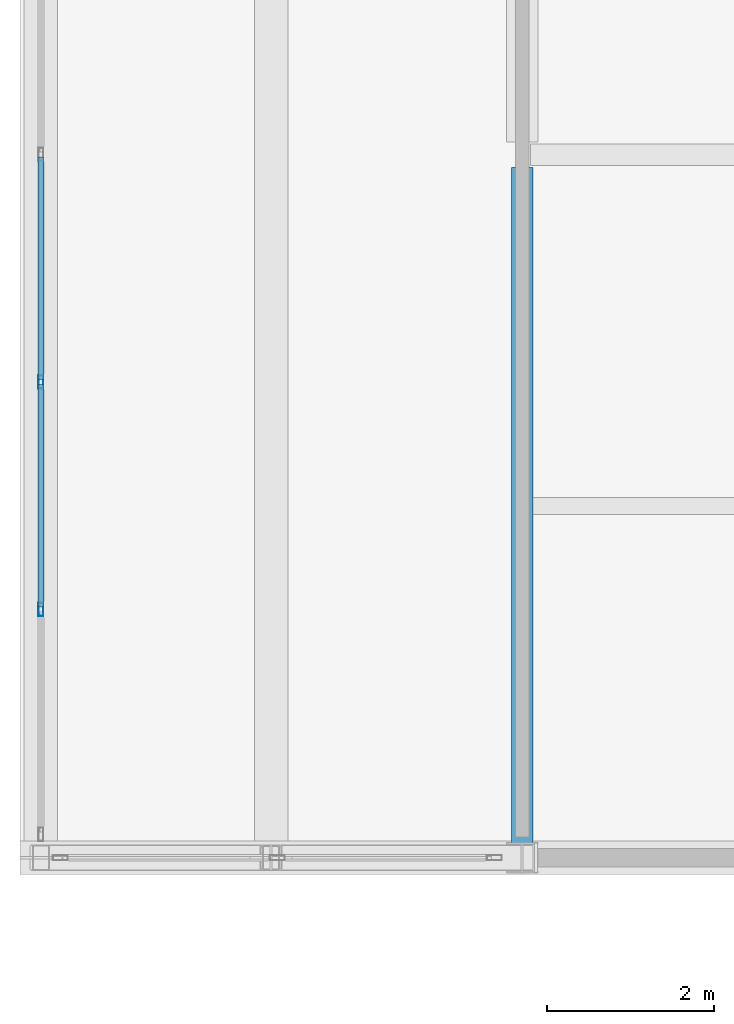
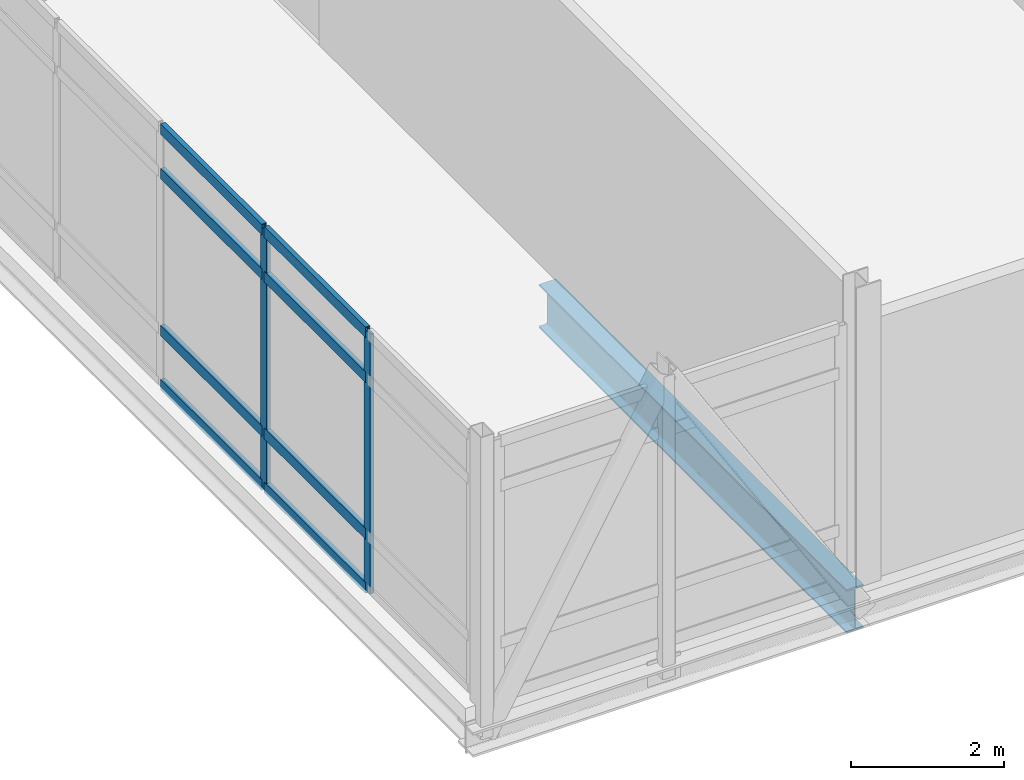
# One storey, part 10 of 45: 10 members, 1 beam, 1 element without a shape of its own.
"""IFC4 building model written with IfcOpenShell, lengths in metres."""

from ifc_helpers import new_model, si_unit, direction, frame, origin, origin_2d, place, context, subcontext, project, spatial, hollow_rectangle, i_section, extrude, material, layer, layer_set, material_profile, profile_set, type_object, element, aggregate, save


model = new_model("IFC4")

# Units and contexts
model_context = context("Model", 3, precision=1e-05, world=origin(), true_north=direction((0.0, 1.0)))
body_context = subcontext(model_context, "Body", "Model", "MODEL_VIEW")
ifc_project = project(units=[si_unit("LENGTHUNIT", "METRE"), si_unit("AREAUNIT", "SQUARE_METRE"), si_unit("VOLUMEUNIT", "CUBIC_METRE"), si_unit("PLANEANGLEUNIT", "RADIAN"), si_unit("MASSUNIT", "GRAM", prefix="KILO")], contexts=[model_context])

# Site, building, storey
site_placement = place(None, origin())
site = spatial("IfcSite", under=ifc_project, at=site_placement, CompositionType="ELEMENT")
building_placement = place(site_placement, origin())
building = spatial("IfcBuilding", under=site, at=building_placement, Name="Calvrana Isthmian Art Gallery", CompositionType="ELEMENT")
storey_placement = place(building_placement, frame((0.0, 0.0, 19.800048828125)))
storey = spatial("IfcBuildingStorey", under=building, at=storey_placement, Name="L04", CompositionType="ELEMENT", Elevation=19.800048828125)

# Beam
ifc_material_1 = material(Name="Steel ASTM A992 Gr 50", Category="steel")
ifc_material_profile_1 = material_profile(ifc_material_1, i_section(OverallWidth=0.257080078125, OverallDepth=0.693115234375, WebThickness=0.014404296875, FlangeThickness=0.023681640625, FilletRadius=0.02392578125, at=origin_2d()), Name="W27X114")
ifc_profile_set_1 = profile_set([ifc_material_profile_1], Name="Steel ASTM A992 Gr 50")
beam_type = type_object("IfcBeamType", Name="BM-G-W27X114", PredefinedType="BEAM", material=ifc_profile_set_1)
beam_placement = place(storey_placement, frame((21.60009765625, 21.778076171875, -0.611572265625), z_axis=(0.0, 1.0, 0.0), x_axis=(-1.0, 0.0, 0.0)))
element("IfcBeam", 1, at=beam_placement, inside=storey, type_object=beam_type, Name="Girder Y L04 04/D-E", PredefinedType="BEAM", context=body_context, shape_type="SweptSolid", body=[
    extrude(i_section(OverallWidth=0.257080078125, OverallDepth=0.693115234375, WebThickness=0.014404296875, FlangeThickness=0.023681640625, FilletRadius=0.02392578125, at=origin_2d()), origin(), (0.0, 0.0, 1.0), 8.069580078125),
])

# Curtain wall, members
ifc_material_2 = material(Name="Anodized bronze aluminium 6063-T6", Category="aluminium")
ifc_layer = layer(ifc_material_2, 0.179931640625, Name="Anodized bronze aluminium 6063-T6")
ifc_layer_set = layer_set([ifc_layer], Name="Anodized bronze aluminium 6063-T6")
curtain_wall_type = type_object("IfcCurtainWallType", Name="CW-STICK-163X42", PredefinedType="NOTDEFINED", material=ifc_layer_set)
curtain_wall_placement = place(storey_placement, origin())
curtain_wall = element("IfcCurtainWall", 2, at=curtain_wall_placement, inside=storey, type_object=curtain_wall_type, Name="Curtain wall CW-193", PredefinedType="NOTDEFINED")
ifc_material_profile_2 = material_profile(ifc_material_2, hollow_rectangle(XDim=0.06005859375, YDim=0.159912109375, WallThickness=0.00390625, at=origin_2d()), Name="CWM60X160")
ifc_profile_set_2 = profile_set([ifc_material_profile_2], Name="Anodized bronze aluminium 6063-T6")
member_type_1 = type_object("IfcMemberType", Name="CWM-CWM60X160", PredefinedType="MULLION", material=ifc_profile_set_2)
member_1_placement = place(storey_placement, frame((15.85009765625, 24.566650390625, 0.0), z_axis=(0.0, 0.0, 1.0), x_axis=(-1.0, 0.0, 0.0)))
member_1 = element("IfcMember", 3, at=member_1_placement, type_object=member_type_1, Name="CW-193 mullion 2", PredefinedType="MULLION", context=body_context, shape_type="SweptSolid", body=[
    extrude(hollow_rectangle(XDim=0.06005859375, YDim=0.159912109375, WallThickness=0.00390625, at=origin_2d()), origin(), (0.0, 0.0, 1.0), 4.160888671875),
])
member_2_placement = place(storey_placement, frame((15.85009765625, 27.283447265625, 0.0), z_axis=(0.0, 0.0, 1.0), x_axis=(-1.0, 0.0, 0.0)))
member_2 = element("IfcMember", 4, at=member_2_placement, type_object=member_type_1, Name="CW-193 mullion 3", PredefinedType="MULLION", context=body_context, shape_type="SweptSolid", body=[
    extrude(hollow_rectangle(XDim=0.06005859375, YDim=0.159912109375, WallThickness=0.00390625, at=origin_2d()), origin(), (0.0, 0.0, 1.0), 4.160888671875),
])
ifc_material_profile_3 = material_profile(ifc_material_2, hollow_rectangle(XDim=0.070068359375, YDim=0.169921875, WallThickness=0.00439453125, at=origin_2d()), Name="CWT70X170")
ifc_profile_set_3 = profile_set([ifc_material_profile_3], Name="Anodized bronze aluminium 6063-T6")
member_type_2 = type_object("IfcMemberType", Name="CWT-CWT70X170", PredefinedType="USERDEFINED", material=ifc_profile_set_3)
member_3_placement = place(storey_placement, frame((15.85009765625, 24.5966796875, 0.034912109375), z_axis=(0.0, 1.0, 0.0), x_axis=(-1.0, 0.0, 0.0)))
member_3 = element("IfcMember", 5, at=member_3_placement, type_object=member_type_2, Name="CW-193 transom 2.1", ObjectType="TRANSOM", PredefinedType="USERDEFINED", context=body_context, shape_type="SweptSolid", body=[
    extrude(hollow_rectangle(XDim=0.070068359375, YDim=0.169921875, WallThickness=0.00439453125, at=origin_2d()), origin(), (0.0, 0.0, 1.0), 2.65673828125),
])
member_4_placement = place(storey_placement, frame((15.85009765625, 24.5966796875, 0.89990234375), z_axis=(0.0, 1.0, 0.0), x_axis=(-1.0, 0.0, 0.0)))
member_4 = element("IfcMember", 6, at=member_4_placement, type_object=member_type_2, Name="CW-193 transom 2.2", ObjectType="TRANSOM", PredefinedType="USERDEFINED", context=body_context, shape_type="SweptSolid", body=[
    extrude(hollow_rectangle(XDim=0.070068359375, YDim=0.169921875, WallThickness=0.00439453125, at=origin_2d()), origin(), (0.0, 0.0, 1.0), 2.65673828125),
])
member_5_placement = place(storey_placement, frame((15.85009765625, 24.5966796875, 3.410888671875), z_axis=(0.0, 1.0, 0.0), x_axis=(-1.0, 0.0, 0.0)))
member_5 = element("IfcMember", 7, at=member_5_placement, type_object=member_type_2, Name="CW-193 transom 2.3", ObjectType="TRANSOM", PredefinedType="USERDEFINED", context=body_context, shape_type="SweptSolid", body=[
    extrude(hollow_rectangle(XDim=0.070068359375, YDim=0.169921875, WallThickness=0.00439453125, at=origin_2d()), origin(), (0.0, 0.0, 1.0), 2.65673828125),
])
member_6_placement = place(storey_placement, frame((15.85009765625, 24.5966796875, 4.1259765625), z_axis=(0.0, 1.0, 0.0), x_axis=(-1.0, 0.0, 0.0)))
member_6 = element("IfcMember", 8, at=member_6_placement, type_object=member_type_2, Name="CW-193 transom 2.4", ObjectType="TRANSOM", PredefinedType="USERDEFINED", context=body_context, shape_type="SweptSolid", body=[
    extrude(hollow_rectangle(XDim=0.070068359375, YDim=0.169921875, WallThickness=0.00439453125, at=origin_2d()), origin(), (0.0, 0.0, 1.0), 2.65673828125),
])
member_7_placement = place(storey_placement, frame((15.85009765625, 27.313232421875, 0.034912109375), z_axis=(0.0, 1.0, 0.0), x_axis=(-1.0, 0.0, 0.0)))
member_7 = element("IfcMember", 9, at=member_7_placement, type_object=member_type_2, Name="CW-193 transom 3.1", ObjectType="TRANSOM", PredefinedType="USERDEFINED", context=body_context, shape_type="SweptSolid", body=[
    extrude(hollow_rectangle(XDim=0.070068359375, YDim=0.169921875, WallThickness=0.00439453125, at=origin_2d()), origin(), (0.0, 0.0, 1.0), 2.65673828125),
])
member_8_placement = place(storey_placement, frame((15.85009765625, 27.313232421875, 0.89990234375), z_axis=(0.0, 1.0, 0.0), x_axis=(-1.0, 0.0, 0.0)))
member_8 = element("IfcMember", 10, at=member_8_placement, type_object=member_type_2, Name="CW-193 transom 3.2", ObjectType="TRANSOM", PredefinedType="USERDEFINED", context=body_context, shape_type="SweptSolid", body=[
    extrude(hollow_rectangle(XDim=0.070068359375, YDim=0.169921875, WallThickness=0.00439453125, at=origin_2d()), origin(), (0.0, 0.0, 1.0), 2.65673828125),
])
member_9_placement = place(storey_placement, frame((15.85009765625, 27.313232421875, 3.410888671875), z_axis=(0.0, 1.0, 0.0), x_axis=(-1.0, 0.0, 0.0)))
member_9 = element("IfcMember", 11, at=member_9_placement, type_object=member_type_2, Name="CW-193 transom 3.3", ObjectType="TRANSOM", PredefinedType="USERDEFINED", context=body_context, shape_type="SweptSolid", body=[
    extrude(hollow_rectangle(XDim=0.070068359375, YDim=0.169921875, WallThickness=0.00439453125, at=origin_2d()), origin(), (0.0, 0.0, 1.0), 2.65673828125),
])
member_10_placement = place(storey_placement, frame((15.85009765625, 27.313232421875, 4.1259765625), z_axis=(0.0, 1.0, 0.0), x_axis=(-1.0, 0.0, 0.0)))
member_10 = element("IfcMember", 12, at=member_10_placement, type_object=member_type_2, Name="CW-193 transom 3.4", ObjectType="TRANSOM", PredefinedType="USERDEFINED", context=body_context, shape_type="SweptSolid", body=[
    extrude(hollow_rectangle(XDim=0.070068359375, YDim=0.169921875, WallThickness=0.00439453125, at=origin_2d()), origin(), (0.0, 0.0, 1.0), 2.65673828125),
])
aggregate(curtain_wall, [member_1, member_2, member_3, member_4, member_5, member_6, member_7, member_8, member_9, member_10])

save(model, "model.ifc")
